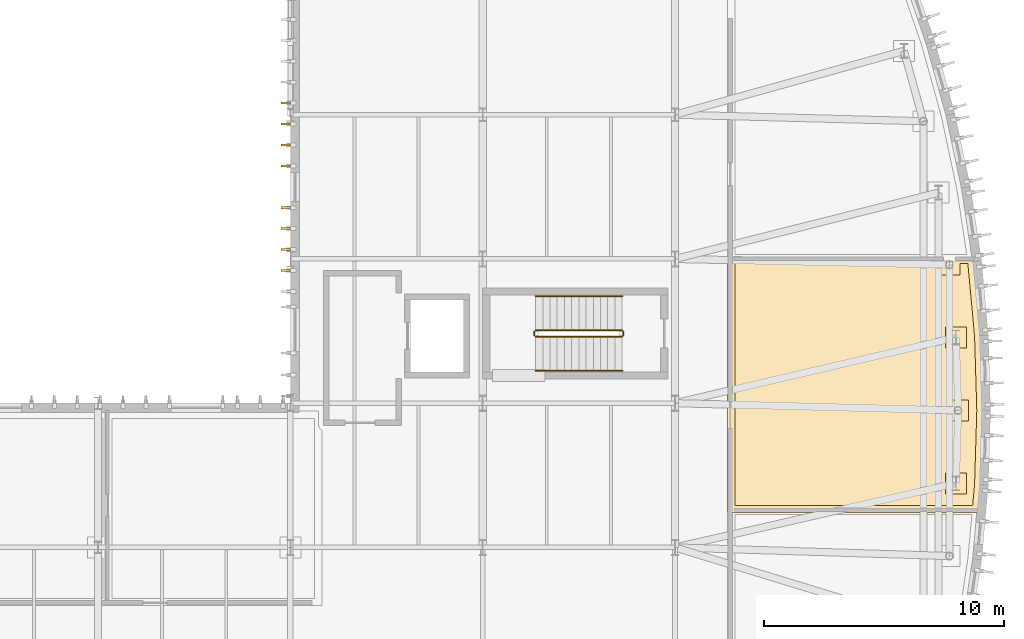
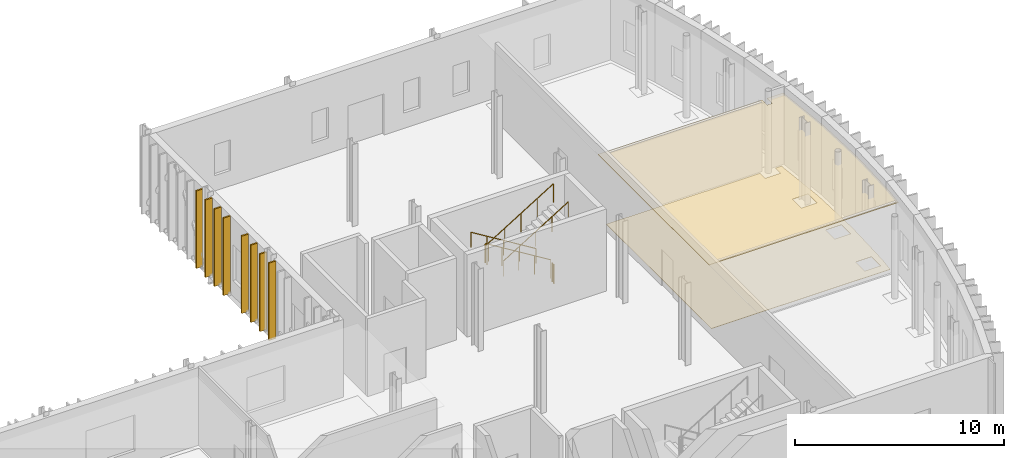
# One storey, part 59 of 60: 10 coverings, 6 railings.
"""IFC4 building model written with IfcOpenShell, lengths in metres."""

from ifc_helpers import new_model, si_unit, direction, frame, origin, origin_2d, place, context, subcontext, project, spatial, polyline, rectangle, circle, outline, extrude, material, layer, layer_set, type_object, element, save


model = new_model("IFC4")

# Units and contexts
model_context = context("Model", 3, precision=1e-05, world=origin(), true_north=direction((0.0, 1.0)))
body_context = subcontext(model_context, "Body", "Model", "MODEL_VIEW")
ifc_project = project(units=[si_unit("LENGTHUNIT", "METRE"), si_unit("AREAUNIT", "SQUARE_METRE"), si_unit("VOLUMEUNIT", "CUBIC_METRE"), si_unit("PLANEANGLEUNIT", "RADIAN"), si_unit("MASSUNIT", "GRAM", prefix="KILO")], contexts=[model_context])

# Site, building, storey
site_placement = place(None, origin())
site = spatial("IfcSite", under=ifc_project, at=site_placement, CompositionType="ELEMENT")
building_placement = place(site_placement, origin())
building = spatial("IfcBuilding", under=site, at=building_placement, Name="Cymarion Research Institute", CompositionType="ELEMENT")
storey_placement = place(building_placement, origin())
storey = spatial("IfcBuildingStorey", under=building, at=storey_placement, Name="L00", CompositionType="ELEMENT", Elevation=0.0)

# Coverings
ifc_material_1 = material(Name="Micro-perforated mineral acoustic ceiling tile", Category="gypsum")
ifc_layer_1 = layer(ifc_material_1, 0.030029296875)
ifc_layer_set_1 = layer_set([ifc_layer_1], Name="Micro-perforated mineral acoustic ceiling tile")
covering_type_1 = type_object("IfcCoveringType", Name="ACOUSTIC MICRO-PERFORATED SUSPENDED CEILING CLG-01", PredefinedType="CEILING", material=ifc_layer_set_1)
covering_1_placement = place(storey_placement, frame((0.0, 0.0, 4.0)))
element("IfcCovering", 1, at=covering_1_placement, inside=storey, type_object=covering_type_1, Name="L00 L00 Curved Prow Analytical Instrumentation Lab acoustic ceiling", PredefinedType="CEILING", context=body_context, shape_type="SweptSolid", body=[
    extrude(outline(polyline([(165.8779296875, 29.614990234375), (165.8779296875, 29.122314453125), (166.14794921875, 29.122314453125), (166.14794921875, 29.614990234375), (167.0517578125, 29.614990234375), (167.3583984375, 26.298583984375), (167.451416015625, 23.199951171875), (167.3583984375, 20.1015625), (167.254150390625, 18.945068359375), (156.784912109375, 18.945068359375), (156.784912109375, 29.614990234375), (165.8779296875, 29.614990234375)])), origin(), (0.0, 0.0, 1.0), 0.030029296875),
])
ifc_material_2 = material(Name="Precast concrete C45/55 architectural white", Category="concrete")
ifc_layer_2 = layer(ifc_material_2, 0.0849609375)
ifc_layer_set_2 = layer_set([ifc_layer_2], Name="Precast concrete C45/55 architectural white")
covering_type_2 = type_object("IfcCoveringType", Name="ARCHITECTURAL WHITE PRECAST CONCRETE VERTICAL FIN FIN3 380MM", PredefinedType="CLADDING", material=ifc_layer_set_2)
for number, where, z_axis, x_axis, name in (
    (2, (138.407958984375, 35.97998046875, 0.009765625), (0.0, 0.0, 1.0), (-1.0, 0.0, 0.0), "L00 V1 white precast vertical fin FIN3 #60"),
    (3, (138.407958984375, 35.110107421875, 0.009765625), (0.0, 0.0, 1.0), (-1.0, 0.0, 0.0), "L00 V1 white precast vertical fin FIN3 #61"),
    (4, (138.407958984375, 34.239990234375, 0.009765625), (0.0, 0.0, 1.0), (-1.0, 0.0, 0.0), "L00 V1 white precast vertical fin FIN3 #62"),
    (5, (138.407958984375, 33.3701171875, 0.009765625), (0.0, 0.0, 1.0), (-1.0, 0.0, 0.0), "L00 V1 white precast vertical fin FIN3 #63"),
    (6, (138.407958984375, 31.6298828125, 0.009765625), (0.0, 0.0, 1.0), (-1.0, 0.0, 0.0), "L00 V1 white precast vertical fin FIN3 #64"),
    (7, (138.407958984375, 30.760009765625, 0.009765625), (0.0, 0.0, 1.0), (-1.0, 0.0, 0.0), "L00 V1 white precast vertical fin FIN3 #65"),
    (8, (138.407958984375, 29.889892578125, 0.009765625), (0.0, 0.0, 1.0), (-1.0, 0.0, 0.0), "L00 V1 white precast vertical fin FIN3 #66"),
    (9, (138.407958984375, 29.02001953125, 0.009765625), (0.0, 0.0, 1.0), (-1.0, 0.0, 0.0), "L00 V1 white precast vertical fin FIN3 #67"),
):
    element("IfcCovering", number, at=place(storey_placement, frame(where, z_axis=z_axis, x_axis=x_axis)), inside=storey, type_object=covering_type_2, Name=name, PredefinedType="CLADDING", context=body_context, shape_type="SweptSolid", body=[
        extrude(rectangle(XDim=0.3798828125, YDim=0.0849609375, at=origin_2d()), origin(), (0.0, 0.0, 1.0), 4.530029296875),
    ])

# Railings
ifc_material_3 = material(Name="Steel S355", Category="steel")
railing_type_1 = type_object("IfcRailingType", Name="PAINTED STEEL STAIR GUARDRAIL GR1 1100MM", PredefinedType="GUARDRAIL", material=ifc_material_3)
railing_1_placement = place(storey_placement, frame((152.39990234375, 26.530029296875, 0.1845703125)))
element("IfcRailing", 10, at=railing_1_placement, inside=storey, type_object=railing_type_1, Name="L00 ST2 stair guard 1", PredefinedType="GUARDRAIL", context=body_context, shape_type="SweptSolid", body=[
    extrude(circle(Radius=0.02392578125, at=origin_2d()), frame((0.0, 0.0, 1.076171875), z_axis=(-0.851654350407, 0.0, 0.524103870844), x_axis=(0.0, -1.0, 0.0)), (0.0, 0.0, 1.0), 4.226806640625),
    extrude(circle(Radius=0.02099609375, at=origin_2d()), origin(), (0.0, 0.0, 1.0), 1.052001953125),
    extrude(circle(Radius=0.02099609375, at=origin_2d()), frame((-0.89990234375, 0.0, 0.5537109375)), (0.0, 0.0, 1.0), 1.052001953125),
    extrude(circle(Radius=0.02099609375, at=origin_2d()), frame((-1.7998046875, 0.0, 1.107666015625)), (0.0, 0.0, 1.0), 1.052001953125),
    extrude(circle(Radius=0.02099609375, at=origin_2d()), frame((-2.699951171875, 0.0, 1.66162109375)), (0.0, 0.0, 1.0), 1.052001953125),
    extrude(circle(Radius=0.02099609375, at=origin_2d()), frame((-3.599853515625, 0.0, 2.21533203125)), (0.0, 0.0, 1.0), 1.052001953125),
])
railing_2_placement = place(storey_placement, frame((148.75, 26.47998046875, 2.39990234375)))
element("IfcRailing", 11, at=railing_2_placement, inside=storey, type_object=railing_type_1, Name="L00 ST2 stair guard 2", PredefinedType="GUARDRAIL", context=body_context, shape_type="SweptSolid", body=[
    extrude(circle(Radius=0.02392578125, at=origin_2d()), frame((0.0, 0.0, 1.076171875), z_axis=(0.0, -1.0, 0.0), x_axis=(1.0, 0.0, 0.0)), (0.0, 0.0, 1.0), 0.159912109375),
    extrude(circle(Radius=0.02099609375, at=origin_2d()), origin(), (0.0, 0.0, 1.0), 1.052001953125),
    extrude(circle(Radius=0.02099609375, at=origin_2d()), frame((0.0, -0.159912109375, 0.0)), (0.0, 0.0, 1.0), 1.052001953125),
])
railing_3_placement = place(storey_placement, frame((148.800048828125, 26.27001953125, 2.584716796875)))
element("IfcRailing", 12, at=railing_3_placement, inside=storey, type_object=railing_type_1, Name="L00 ST2 stair guard 3", PredefinedType="GUARDRAIL", context=body_context, shape_type="SweptSolid", body=[
    extrude(circle(Radius=0.02392578125, at=origin_2d()), frame((0.0, 0.0, 1.076171875), z_axis=(0.851654350407, 0.0, 0.524103870844), x_axis=(0.0, 1.0, 0.0)), (0.0, 0.0, 1.0), 4.226806640625),
    extrude(circle(Radius=0.02099609375, at=origin_2d()), origin(), (0.0, 0.0, 1.0), 1.052001953125),
    extrude(circle(Radius=0.02099609375, at=origin_2d()), frame((0.89990234375, 0.0, 0.5537109375)), (0.0, 0.0, 1.0), 1.052001953125),
    extrude(circle(Radius=0.02099609375, at=origin_2d()), frame((1.7998046875, 0.0, 1.107666015625)), (0.0, 0.0, 1.0), 1.052001953125),
    extrude(circle(Radius=0.02099609375, at=origin_2d()), frame((2.699951171875, 0.0, 1.66162109375)), (0.0, 0.0, 1.0), 1.052001953125),
    extrude(circle(Radius=0.02099609375, at=origin_2d()), frame((3.599853515625, 0.0, 2.21533203125)), (0.0, 0.0, 1.0), 1.052001953125),
])
railing_4_placement = place(storey_placement, frame((152.449951171875, 26.47998046875, 0.0)))
element("IfcRailing", 13, at=railing_4_placement, inside=storey, type_object=railing_type_1, Name="L00 ST2 stair guard 4", PredefinedType="GUARDRAIL", context=body_context, shape_type="SweptSolid", body=[
    extrude(circle(Radius=0.02392578125, at=origin_2d()), frame((0.0, 0.0, 1.076171875), z_axis=(0.0, -1.0, 0.0), x_axis=(1.0, 0.0, 0.0)), (0.0, 0.0, 1.0), 0.159912109375),
    extrude(circle(Radius=0.02099609375, at=origin_2d()), origin(), (0.0, 0.0, 1.0), 1.052001953125),
    extrude(circle(Radius=0.02099609375, at=origin_2d()), frame((0.0, -0.159912109375, 0.0)), (0.0, 0.0, 1.0), 1.052001953125),
])

# Covering
ifc_material_4 = material(Name="Seamless dissipative epoxy resin flooring", Category="resin")
ifc_layer_3 = layer(ifc_material_4, 0.02001953125)
ifc_layer_set_3 = layer_set([ifc_layer_3], Name="Seamless dissipative epoxy resin flooring")
covering_type_3 = type_object("IfcCoveringType", Name="SEAMLESS ESD EPOXY LABORATORY FLOORING FLR-01", PredefinedType="FLOORING", material=ifc_layer_set_3)
covering_2_placement = place(storey_placement, origin())
element("IfcCovering", 14, at=covering_2_placement, inside=storey, type_object=covering_type_3, Name="L00 L00 Curved Prow Analytical Instrumentation Lab ESD epoxy flooring", PredefinedType="FLOORING", context=body_context, shape_type="SweptSolid", body=[
    extrude(outline(polyline([(157.0849609375, 29.31494140625), (165.577880859375, 29.31494140625), (165.577880859375, 28.822265625), (166.447998046875, 28.822265625), (166.447998046875, 29.31494140625), (166.7783203125, 29.31494140625), (167.058837890625, 26.2802734375), (167.151123046875, 23.199951171875), (167.058837890625, 20.11962890625), (166.97998046875, 19.2451171875), (157.0849609375, 19.2451171875), (157.0849609375, 29.31494140625)]), holes=[polyline([(166.8115234375, 23.635009765625), (165.94140625, 23.635009765625), (165.94140625, 22.764892578125), (166.8115234375, 22.764892578125), (166.8115234375, 23.635009765625)]), polyline([(166.720458984375, 20.60107421875), (165.8505859375, 20.60107421875), (165.8505859375, 19.73095703125), (166.720458984375, 19.73095703125), (166.720458984375, 20.60107421875)]), polyline([(166.720458984375, 26.6689453125), (165.8505859375, 26.6689453125), (165.8505859375, 25.799072265625), (166.720458984375, 25.799072265625), (166.720458984375, 26.6689453125)])]), origin(), (0.0, 0.0, 1.0), 0.02001953125),
])

# Railings
railing_type_2 = type_object("IfcRailingType", Name="STAINLESS STEEL STAIR HANDRAIL HR1 900MM", PredefinedType="HANDRAIL", material=ifc_material_3)
railing_5_placement = place(storey_placement, frame((152.39990234375, 27.949951171875, 0.1845703125)))
element("IfcRailing", 15, at=railing_5_placement, inside=storey, type_object=railing_type_2, Name="L00 ST2 stair handrail 1", PredefinedType="HANDRAIL", context=body_context, shape_type="SweptSolid", body=[
    extrude(circle(Radius=0.02392578125, at=origin_2d()), frame((0.0, 0.0, 0.8759765625), z_axis=(-0.851654350407, 0.0, 0.524103870844), x_axis=(0.0, -1.0, 0.0)), (0.0, 0.0, 1.0), 4.226806640625),
    extrude(circle(Radius=0.02099609375, at=origin_2d()), origin(), (0.0, 0.0, 1.0), 0.851806640625),
    extrude(circle(Radius=0.02099609375, at=origin_2d()), frame((-0.89990234375, 0.0, 0.5537109375)), (0.0, 0.0, 1.0), 0.851806640625),
    extrude(circle(Radius=0.02099609375, at=origin_2d()), frame((-1.7998046875, 0.0, 1.107666015625)), (0.0, 0.0, 1.0), 0.851806640625),
    extrude(circle(Radius=0.02099609375, at=origin_2d()), frame((-2.699951171875, 0.0, 1.66162109375)), (0.0, 0.0, 1.0), 0.851806640625),
    extrude(circle(Radius=0.02099609375, at=origin_2d()), frame((-3.599853515625, 0.0, 2.21533203125)), (0.0, 0.0, 1.0), 0.851806640625),
])
railing_6_placement = place(storey_placement, frame((148.800048828125, 24.85009765625, 2.584716796875)))
element("IfcRailing", 16, at=railing_6_placement, inside=storey, type_object=railing_type_2, Name="L00 ST2 stair handrail 2", PredefinedType="HANDRAIL", context=body_context, shape_type="SweptSolid", body=[
    extrude(circle(Radius=0.02392578125, at=origin_2d()), frame((0.0, 0.0, 0.8759765625), z_axis=(0.851654350407, 0.0, 0.524103870844), x_axis=(0.0, 1.0, 0.0)), (0.0, 0.0, 1.0), 4.226806640625),
    extrude(circle(Radius=0.02099609375, at=origin_2d()), origin(), (0.0, 0.0, 1.0), 0.851806640625),
    extrude(circle(Radius=0.02099609375, at=origin_2d()), frame((0.89990234375, 0.0, 0.5537109375)), (0.0, 0.0, 1.0), 0.851806640625),
    extrude(circle(Radius=0.02099609375, at=origin_2d()), frame((1.7998046875, 0.0, 1.107666015625)), (0.0, 0.0, 1.0), 0.851806640625),
    extrude(circle(Radius=0.02099609375, at=origin_2d()), frame((2.699951171875, 0.0, 1.66162109375)), (0.0, 0.0, 1.0), 0.851806640625),
    extrude(circle(Radius=0.02099609375, at=origin_2d()), frame((3.599853515625, 0.0, 2.21533203125)), (0.0, 0.0, 1.0), 0.851806640625),
])

save(model, "model.ifc")
